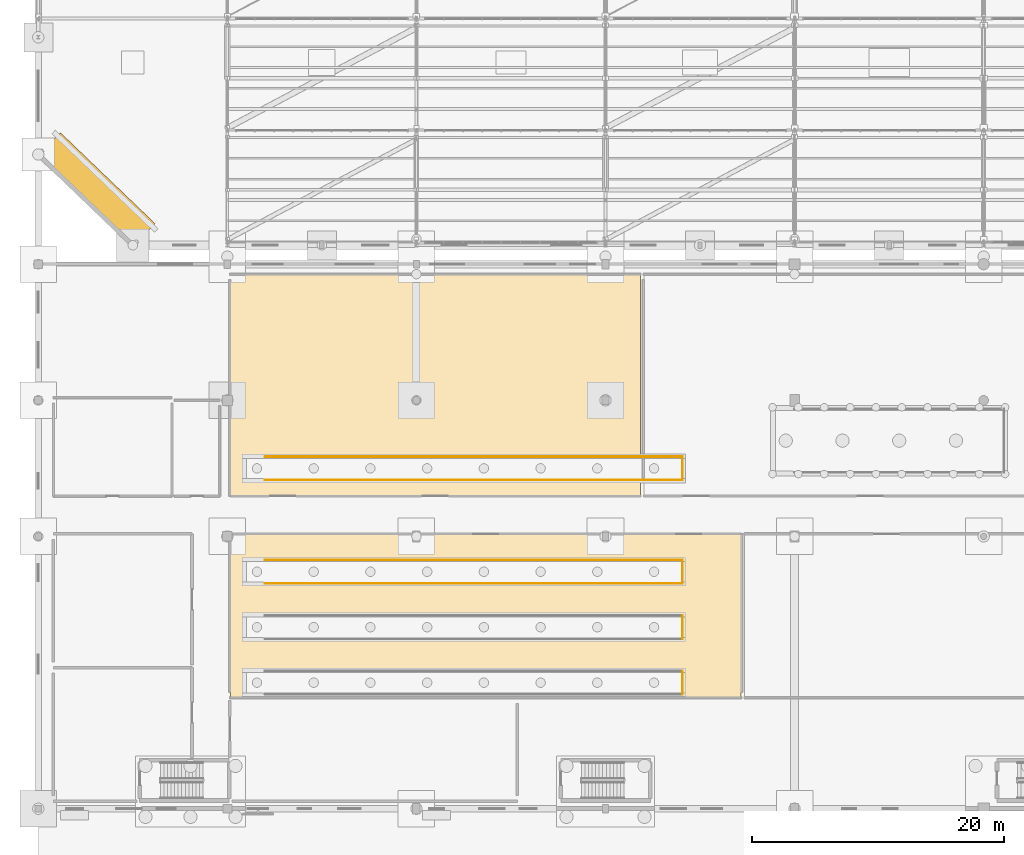
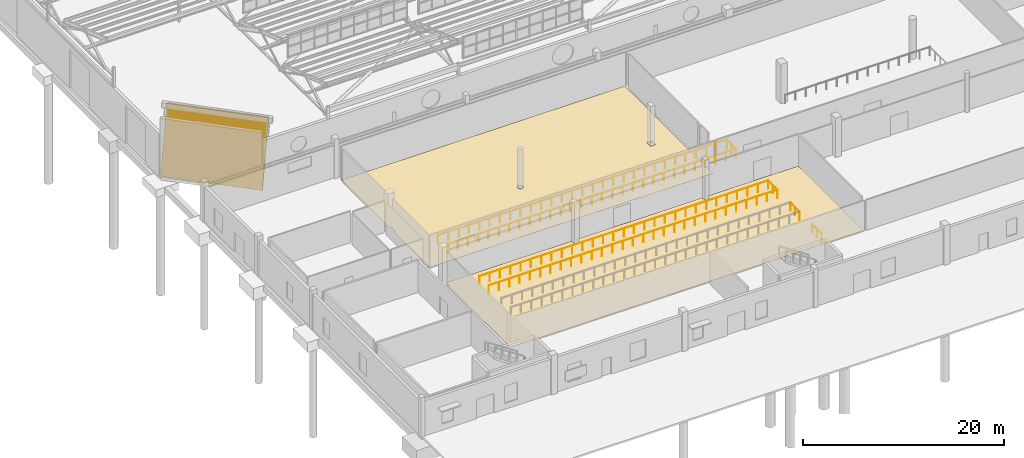
# One storey, part 271 of 285: 8 railings, 3 coverings.
"""IFC4 building model written with IfcOpenShell, lengths in metres."""

import ifcopenshell
import ifcopenshell.guid

model = None  # the IFC model being written
_history = None  # IfcOwnerHistory: only IFC2X3 demands one
_inside = {}  # id of a spatial element -> (the spatial element, [elements in it])
_under = {}  # id of a project, library or spatial element -> (it, [spatial elements below it])
_declared = {}  # id of a project -> (the project, [libraries it declares])
_typed = {}  # id of a type object -> (the type object, [elements of that type])
_made_of = {}  # id of a material, layer set ... -> (it, [elements and type objects made of it])


def new_model(schema):
    """Start an empty IFC model of exactly this schema.

    Asked for "IFC4X3", IfcOpenShell would pick the latest addendum, in which some entities
    have other attributes; the version numbers below select the first issue.
    IFC2X3 requires an IfcOwnerHistory on every rooted entity: one is made here for all.
    """
    global model, _history
    if schema == "IFC4X3":
        model = ifcopenshell.file(schema_version=(4, 3, 0, 0))
    else:
        model = ifcopenshell.file(schema=schema)
    _inside.clear()
    _under.clear()
    _declared.clear()
    _typed.clear()
    _made_of.clear()
    _history = None
    if model.schema == "IFC2X3":
        org = make("IfcOrganization", Name="unknown")
        user = make(
            "IfcPersonAndOrganization",
            ThePerson=make("IfcPerson", FamilyName="unknown"),
            TheOrganization=org,
        )
        app = make(
            "IfcApplication",
            ApplicationDeveloper=org,
            Version="unknown",
            ApplicationFullName="unknown",
            ApplicationIdentifier="unknown",
        )
        _history = make(
            "IfcOwnerHistory",
            OwningUser=user,
            OwningApplication=app,
            ChangeAction="ADDED",
            CreationDate=0,
        )
    return model


def make(cls, **values):
    """One entity of the class cls with the attributes given. An attribute that is None is left unset."""
    return model.create_entity(
        cls, **{name: value for name, value in values.items() if value is not None}
    )


def rooted(cls, **values):
    """An entity with a GlobalId (a new one), such as an element, a storey or a relation."""
    return make(cls, GlobalId=ifcopenshell.guid.new(), OwnerHistory=_history, **values)


def si_unit(unit_type, name, prefix=None):
    """IfcSIUnit, for example si_unit("LENGTHUNIT", "METRE", prefix="MILLI")."""
    return make("IfcSIUnit", UnitType=unit_type, Prefix=prefix, Name=name)


def assignment(units):
    """IfcUnitAssignment: the units of a project."""
    return None if units is None else make("IfcUnitAssignment", Units=units)


def point(xyz):
    """IfcCartesianPoint."""
    return None if xyz is None else make("IfcCartesianPoint", Coordinates=xyz)


def direction(xyz):
    """IfcDirection."""
    return None if xyz is None else make("IfcDirection", DirectionRatios=xyz)


def frame(location, z_axis=None, x_axis=None):
    """IfcAxis2Placement3D, a coordinate frame: its origin and axes. An axis left out is left unset."""
    return make(
        "IfcAxis2Placement3D",
        Location=point(location),
        Axis=direction(z_axis),
        RefDirection=direction(x_axis),
    )


def frame_2d(location, x_axis=None):
    """IfcAxis2Placement2D, a coordinate frame in the plane: its origin and x axis."""
    return make(
        "IfcAxis2Placement2D", Location=point(location), RefDirection=direction(x_axis)
    )


def origin():
    """The frame at (0, 0, 0) with its axes left unset."""
    return frame((0.0, 0.0, 0.0))


def origin_2d():
    """The frame at (0, 0) in the plane with its x axis left unset."""
    return frame_2d((0.0, 0.0))


def place(relative_to, where):
    """IfcLocalPlacement: puts the frame where relative to a parent placement (None: the world)."""
    return make(
        "IfcLocalPlacement", PlacementRelTo=relative_to, RelativePlacement=where
    )


def context(
    kind, dimensions, precision=None, world=None, true_north=None, identifier=None
):
    """IfcGeometricRepresentationContext, for example the 3D "Model" context."""
    return make(
        "IfcGeometricRepresentationContext",
        ContextIdentifier=identifier,
        ContextType=kind,
        CoordinateSpaceDimension=dimensions,
        Precision=precision,
        WorldCoordinateSystem=world,
        TrueNorth=true_north,
    )


def subcontext(parent, identifier, kind, view, scale=None):
    """IfcGeometricRepresentationSubContext, for example "Body" below "Model"."""
    return make(
        "IfcGeometricRepresentationSubContext",
        ContextIdentifier=identifier,
        ContextType=kind,
        ParentContext=parent,
        TargetScale=scale,
        TargetView=view,
    )


def project(units=None, contexts=None):
    """IfcProject with its units and contexts."""
    return rooted(
        "IfcProject",
        Name="project",
        RepresentationContexts=contexts,
        UnitsInContext=assignment(units),
    )


def spatial(cls, under=None, at=None, **own):
    """A site, building, storey or space (cls), placed at a placement, below another one or the project."""
    s = rooted(cls, ObjectPlacement=at, **own)
    if under is not None:
        _under.setdefault(under.id(), (under, []))[1].append(s)
    return s


def polyline(points):
    """IfcPolyline through the points."""
    return make("IfcPolyline", Points=[point(p) for p in points])


def profile(cls, at=None, kind="AREA", **sizes):
    """A parametric profile (cls). Its sizes go by their IFC names, for example OverallWidth=200.0."""
    return make(cls, ProfileType=kind, Position=at, **sizes)


def circle(**sizes):
    """IfcCircleProfileDef."""
    return profile("IfcCircleProfileDef", **sizes)


def outline(outer, holes=None, kind="AREA"):
    """IfcArbitraryClosedProfileDef: a profile drawn as a closed curve; with holes, ...WithVoids."""
    if holes is None:
        return make("IfcArbitraryClosedProfileDef", ProfileType=kind, OuterCurve=outer)
    return make(
        "IfcArbitraryProfileDefWithVoids",
        ProfileType=kind,
        OuterCurve=outer,
        InnerCurves=holes,
    )


def extrude(swept, where, along, depth):
    """IfcExtrudedAreaSolid: the profile swept, set in the frame where, extruded along a direction by depth."""
    return make(
        "IfcExtrudedAreaSolid",
        SweptArea=swept,
        Position=where,
        ExtrudedDirection=direction(along),
        Depth=depth,
    )


def shape(context_of_items, identifier, shape_type, items):
    """IfcShapeRepresentation: the items that make up one representation, for example the "Body"."""
    return make(
        "IfcShapeRepresentation",
        ContextOfItems=context_of_items,
        RepresentationIdentifier=identifier,
        RepresentationType=shape_type,
        Items=items,
    )


def material(Name=None, Category=None):
    """IfcMaterial."""
    return make("IfcMaterial", Name=Name, Category=Category)


def layer(
    of_material, thickness, ventilated=None, Name=None, Category=None, Priority=None
):
    """IfcMaterialLayer: one layer of a wall or slab, of a material (None: an air gap)."""
    return make(
        "IfcMaterialLayer",
        Material=of_material,
        LayerThickness=thickness,
        IsVentilated=ventilated,
        Name=Name,
        Category=Category,
        Priority=Priority,
    )


def layer_set(layers, Name=None):
    """IfcMaterialLayerSet."""
    return make("IfcMaterialLayerSet", MaterialLayers=layers, LayerSetName=Name)


def made_of(thing, what):
    """Note that an element or type object is made of a material, layer set ...; save() writes the relation."""
    if what is not None:
        _made_of.setdefault(what.id(), (what, []))[1].append(thing)
    return thing


def type_object(cls, material=None, **own):
    """A type object (cls), such as IfcWallType, which elements share."""
    return made_of(rooted(cls, **own), material)


def element(
    cls,
    number,
    at=None,
    inside=None,
    cuts=None,
    type_object=None,
    material=None,
    context=None,
    identifier="Body",
    shape_type=None,
    held_by="IfcProductDefinitionShape",
    body=None,
    shapes=None,
    **own,
):
    """One element of the class cls, such as IfcWall. Its Tag is "e" and its number.

    at: its placement. inside: the storey or other place that contains it. cuts: it is an
    opening in that element (IfcRelVoidsElement). A single representation is given by context,
    identifier, shape_type and body (its items); several are given by shapes. held_by: the class
    of the entity that holds the representations. save() writes the other relations.
    """
    e = rooted(cls, Tag="e%d" % number, ObjectPlacement=at, **own)
    if body is not None:
        shapes = [shape(context, identifier, shape_type, body)]
    if shapes is not None:
        e.Representation = make(held_by, Representations=shapes)
    if inside is not None:
        _inside.setdefault(inside.id(), (inside, []))[1].append(e)
    if cuts is not None:
        rooted(
            "IfcRelVoidsElement", RelatingBuildingElement=cuts, RelatedOpeningElement=e
        )
    if type_object is not None:
        _typed.setdefault(type_object.id(), (type_object, []))[1].append(e)
    return made_of(e, material)


def aggregate(whole, parts):
    """IfcRelAggregates: a whole, such as a stair, and the parts it consists of."""
    return rooted("IfcRelAggregates", RelatingObject=whole, RelatedObjects=parts)


def save(model, path):
    """Write the relations noted so far, then the file.

    IfcRelAggregates (storeys below a building ...), IfcRelContainedInSpatialStructure (elements
    in a storey), IfcRelDefinesByType, IfcRelAssociatesMaterial and IfcRelDeclares: one each for
    every whole, place, type object, material and project.
    """
    for whole, parts in _under.values():
        aggregate(whole, parts)
    for where, things in _inside.values():
        rooted(
            "IfcRelContainedInSpatialStructure",
            RelatedElements=things,
            RelatingStructure=where,
        )
    for kind, things in _typed.values():
        rooted("IfcRelDefinesByType", RelatedObjects=things, RelatingType=kind)
    for what, things in _made_of.values():
        rooted("IfcRelAssociatesMaterial", RelatedObjects=things, RelatingMaterial=what)
    for by, libraries in _declared.values():
        rooted("IfcRelDeclares", RelatingContext=by, RelatedDefinitions=libraries)
    model.write(path)


model = new_model("IFC4")

# Units and contexts
model_context = context("Model", 3, precision=1e-05, world=origin(), true_north=direction((0.0, 1.0)))
body_context = subcontext(model_context, "Body", "Model", "MODEL_VIEW")
ifc_project = project(units=[si_unit("LENGTHUNIT", "METRE"), si_unit("AREAUNIT", "SQUARE_METRE"), si_unit("VOLUMEUNIT", "CUBIC_METRE"), si_unit("PLANEANGLEUNIT", "RADIAN"), si_unit("MASSUNIT", "GRAM", prefix="KILO")], contexts=[model_context])

# Site, building, storey
site_placement = place(None, origin())
site = spatial("IfcSite", under=ifc_project, at=site_placement, CompositionType="ELEMENT")
building_placement = place(site_placement, origin())
building = spatial("IfcBuilding", under=site, at=building_placement, Name="Solanera Park Tramway Depot", CompositionType="ELEMENT")
storey_placement = place(building_placement, origin())
storey = spatial("IfcBuildingStorey", under=building, at=storey_placement, Name="L00", CompositionType="ELEMENT", Elevation=0.0)

# Coverings
ifc_material_1 = material(Name="Board-marked architectural concrete N40", Category="concrete")
ifc_layer_1 = layer(ifc_material_1, 0.280029296875)
ifc_layer_set_1 = layer_set([ifc_layer_1], Name="Board-marked architectural concrete N40")
covering_type_1 = type_object("IfcCoveringType", Name="Board-Marked Carved Concrete Facet 280", PredefinedType="CLADDING", material=ifc_layer_set_1)
covering_1_placement = place(storey_placement, frame((7.5, 55.5, 0.0), z_axis=(-0.664049872585, -0.691723308325, 0.283825001434), x_axis=(-0.721389667345, 0.692529384104, 0.0)))
element("IfcCovering", 1, at=covering_1_placement, inside=storey, type_object=covering_type_1, Name="V1 Carved Sloping Corner Plane SW (16.5 deg)", PredefinedType="CLADDING", context=body_context, shape_type="SweptSolid", body=[
    extrude(outline(polyline([(0.0, 0.0), (10.39660025572707, 0.0), (10.308258091832453, -7.738144585721036), (-0.08834216389461635, -7.738144585721036), (0.0, 0.0)])), origin(), (0.0, 0.0, -1.0), 0.280029296875),
])
ifc_material_2 = material(Name="Heavy-duty slip-resistant epoxy resin screed")
ifc_layer_2 = layer(ifc_material_2, 0.011962890625)
ifc_layer_set_2 = layer_set([ifc_layer_2], Name="Heavy-duty slip-resistant epoxy resin screed")
covering_type_2 = type_object("IfcCoveringType", Name="Epoxy Industrial Workshop Flooring 12", PredefinedType="FLOORING", material=ifc_layer_set_2)
covering_2_placement = place(storey_placement, origin())
element("IfcCovering", 2, at=covering_2_placement, inside=storey, type_object=covering_type_2, Name="Bogie Overhaul and Lifting Jack Hall Floor Finish", PredefinedType="FLOORING", context=body_context, shape_type="SweptSolid", body=[
    extrude(outline(polyline([(15.3798828125, 32.02001953125), (15.3798828125, 32.56005859375), (29.695068359375, 32.56005859375), (29.695068359375, 31.945068359375), (30.304931640625, 31.945068359375), (30.304931640625, 32.56005859375), (44.7451171875, 32.56005859375), (44.7451171875, 32.070068359375), (45.2548828125, 32.070068359375), (45.2548828125, 32.56005859375), (55.760009765625, 32.56005859375), (55.760009765625, 19.639892578125), (15.239990234375, 19.639892578125), (15.239990234375, 32.02001953125), (15.3798828125, 32.02001953125)])), origin(), (0.0, 0.0, 1.0), 0.011962890625),
])
covering_3_placement = place(storey_placement, origin())
element("IfcCovering", 3, at=covering_3_placement, inside=storey, type_object=covering_type_2, Name="Tram Bodywork and Paint Spray Booth Floor Finish", PredefinedType="FLOORING", context=body_context, shape_type="SweptSolid", body=[
    extrude(outline(polyline([(15.405029296875, 42.794921875), (15.405029296875, 43.60498046875), (15.239990234375, 43.60498046875), (15.239990234375, 53.159912109375), (47.760009765625, 53.159912109375), (47.760009765625, 35.639892578125), (15.239990234375, 35.639892578125), (15.239990234375, 42.794921875), (15.405029296875, 42.794921875)]), holes=[polyline([(30.28173828125, 43.316650390625), (30.253662109375, 43.369384765625), (30.2158203125, 43.415771484375), (30.16943359375, 43.45361328125), (30.11669921875, 43.481689453125), (30.0595703125, 43.4990234375), (30.0, 43.5048828125), (29.9404296875, 43.4990234375), (29.88330078125, 43.481689453125), (29.83056640625, 43.45361328125), (29.7841796875, 43.415771484375), (29.746337890625, 43.369384765625), (29.71826171875, 43.316650390625), (29.700927734375, 43.259521484375), (29.695068359375, 43.199951171875), (29.700927734375, 43.140380859375), (29.71826171875, 43.083251953125), (29.746337890625, 43.030517578125), (29.7841796875, 42.984375), (29.83056640625, 42.9462890625), (29.88330078125, 42.918212890625), (29.9404296875, 42.90087890625), (30.0, 42.89501953125), (30.0595703125, 42.90087890625), (30.11669921875, 42.918212890625), (30.16943359375, 42.9462890625), (30.2158203125, 42.984375), (30.253662109375, 43.030517578125), (30.28173828125, 43.083251953125), (30.299072265625, 43.140380859375), (30.304931640625, 43.199951171875), (30.299072265625, 43.259521484375), (30.28173828125, 43.316650390625)]), polyline([(45.280029296875, 42.844970703125), (45.280029296875, 43.554931640625), (44.719970703125, 43.554931640625), (44.719970703125, 42.844970703125), (45.280029296875, 42.844970703125)])]), origin(), (0.0, 0.0, 1.0), 0.011962890625),
])

# Railings
ifc_material_3 = material(Name="Steel AS/NZS 1163 Grade C350L0", Category="steel")
ifc_layer_3 = layer(ifc_material_3, 0.06005859375)
ifc_layer_set_3 = layer_set([ifc_layer_3], Name="Steel AS/NZS 1163 Grade C350L0")
railing_type = type_object("IfcRailingType", Name="Industrial Safety Edge Guardrail 1120", PredefinedType="GUARDRAIL", material=ifc_layer_set_3)
for number, where, name in (
    (4, (51.1201171875, 19.8798828125, 0.0), "Pit Safety Guardrail PIT-01 #061"),
    (5, (51.1201171875, 24.280029296875, 0.0), "Pit Safety Guardrail PIT-02 #064"),
):
    element("IfcRailing", number, at=place(storey_placement, frame(where)), inside=storey, type_object=railing_type, Name=name, PredefinedType="GUARDRAIL", context=body_context, shape_type="SweptSolid", body=[
        extrude(circle(Radius=0.02392578125, at=origin_2d()), frame((0.0, 0.0, 1.09619140625), z_axis=(0.0, 1.0, 0.0), x_axis=(-1.0, 0.0, 0.0)), (0.0, 0.0, 1.0), 1.840087890625),
        extrude(circle(Radius=0.02099609375, at=origin_2d()), origin(), (0.0, 0.0, 1.0), 1.072021484375),
        extrude(circle(Radius=0.02099609375, at=origin_2d()), frame((0.0, 0.919921875, 0.0)), (0.0, 0.0, 1.0), 1.072021484375),
        extrude(circle(Radius=0.02099609375, at=origin_2d()), frame((0.0, 1.840087890625, 0.0)), (0.0, 0.0, 1.0), 1.072021484375),
    ])
railing_1_placement = place(storey_placement, frame((18.0, 28.679931640625, 0.0)))
element("IfcRailing", 6, at=railing_1_placement, inside=storey, type_object=railing_type, Name="Pit Safety Guardrail PIT-03 #066", PredefinedType="GUARDRAIL", context=body_context, shape_type="SweptSolid", body=[
    extrude(circle(Radius=0.02392578125, at=origin_2d()), frame((0.0, 0.0, 1.09619140625), z_axis=(1.0, 0.0, 0.0), x_axis=(0.0, 1.0, 0.0)), (0.0, 0.0, 1.0), 33.1201171875),
    extrude(circle(Radius=0.02099609375, at=origin_2d()), origin(), (0.0, 0.0, 1.0), 1.072021484375),
    extrude(circle(Radius=0.02099609375, at=origin_2d()), frame((1.182861328125, 0.0, 0.0)), (0.0, 0.0, 1.0), 1.072021484375),
    extrude(circle(Radius=0.02099609375, at=origin_2d()), frame((2.36572265625, 0.0, 0.0)), (0.0, 0.0, 1.0), 1.072021484375),
    extrude(circle(Radius=0.02099609375, at=origin_2d()), frame((3.548583984375, 0.0, 0.0)), (0.0, 0.0, 1.0), 1.072021484375),
    extrude(circle(Radius=0.02099609375, at=origin_2d()), frame((4.7314453125, 0.0, 0.0)), (0.0, 0.0, 1.0), 1.072021484375),
    extrude(circle(Radius=0.02099609375, at=origin_2d()), frame((5.914306640625, 0.0, 0.0)), (0.0, 0.0, 1.0), 1.072021484375),
    extrude(circle(Radius=0.02099609375, at=origin_2d()), frame((7.09716796875, 0.0, 0.0)), (0.0, 0.0, 1.0), 1.072021484375),
    extrude(circle(Radius=0.02099609375, at=origin_2d()), frame((8.280029296875, 0.0, 0.0)), (0.0, 0.0, 1.0), 1.072021484375),
    extrude(circle(Radius=0.02099609375, at=origin_2d()), frame((9.462890625, 0.0, 0.0)), (0.0, 0.0, 1.0), 1.072021484375),
    extrude(circle(Radius=0.02099609375, at=origin_2d()), frame((10.645751953125, 0.0, 0.0)), (0.0, 0.0, 1.0), 1.072021484375),
    extrude(circle(Radius=0.02099609375, at=origin_2d()), frame((11.82861328125, 0.0, 0.0)), (0.0, 0.0, 1.0), 1.072021484375),
    extrude(circle(Radius=0.02099609375, at=origin_2d()), frame((13.011474609375, 0.0, 0.0)), (0.0, 0.0, 1.0), 1.072021484375),
    extrude(circle(Radius=0.02099609375, at=origin_2d()), frame((14.1943359375, 0.0, 0.0)), (0.0, 0.0, 1.0), 1.072021484375),
    extrude(circle(Radius=0.02099609375, at=origin_2d()), frame((15.377197265625, 0.0, 0.0)), (0.0, 0.0, 1.0), 1.072021484375),
    extrude(circle(Radius=0.02099609375, at=origin_2d()), frame((16.56005859375, 0.0, 0.0)), (0.0, 0.0, 1.0), 1.072021484375),
    extrude(circle(Radius=0.02099609375, at=origin_2d()), frame((17.742919921875, 0.0, 0.0)), (0.0, 0.0, 1.0), 1.072021484375),
    extrude(circle(Radius=0.02099609375, at=origin_2d()), frame((18.92578125, 0.0, 0.0)), (0.0, 0.0, 1.0), 1.072021484375),
    extrude(circle(Radius=0.02099609375, at=origin_2d()), frame((20.108642578125, 0.0, 0.0)), (0.0, 0.0, 1.0), 1.072021484375),
    extrude(circle(Radius=0.02099609375, at=origin_2d()), frame((21.29150390625, 0.0, 0.0)), (0.0, 0.0, 1.0), 1.072021484375),
    extrude(circle(Radius=0.02099609375, at=origin_2d()), frame((22.474365234375, 0.0, 0.0)), (0.0, 0.0, 1.0), 1.072021484375),
    extrude(circle(Radius=0.02099609375, at=origin_2d()), frame((23.6572265625, 0.0, 0.0)), (0.0, 0.0, 1.0), 1.072021484375),
    extrude(circle(Radius=0.02099609375, at=origin_2d()), frame((24.840087890625, 0.0, 0.0)), (0.0, 0.0, 1.0), 1.072021484375),
    extrude(circle(Radius=0.02099609375, at=origin_2d()), frame((26.02294921875, 0.0, 0.0)), (0.0, 0.0, 1.0), 1.072021484375),
    extrude(circle(Radius=0.02099609375, at=origin_2d()), frame((27.205810546875, 0.0, 0.0)), (0.0, 0.0, 1.0), 1.072021484375),
    extrude(circle(Radius=0.02099609375, at=origin_2d()), frame((28.388671875, 0.0, 0.0)), (0.0, 0.0, 1.0), 1.072021484375),
    extrude(circle(Radius=0.02099609375, at=origin_2d()), frame((29.571533203125, 0.0, 0.0)), (0.0, 0.0, 1.0), 1.072021484375),
    extrude(circle(Radius=0.02099609375, at=origin_2d()), frame((30.75439453125, 0.0, 0.0)), (0.0, 0.0, 1.0), 1.072021484375),
    extrude(circle(Radius=0.02099609375, at=origin_2d()), frame((31.937255859375, 0.0, 0.0)), (0.0, 0.0, 1.0), 1.072021484375),
    extrude(circle(Radius=0.02099609375, at=origin_2d()), frame((33.1201171875, 0.0, 0.0)), (0.0, 0.0, 1.0), 1.072021484375),
])
railing_2_placement = place(storey_placement, frame((51.1201171875, 28.679931640625, 0.0)))
element("IfcRailing", 7, at=railing_2_placement, inside=storey, type_object=railing_type, Name="Pit Safety Guardrail PIT-03 #067", PredefinedType="GUARDRAIL", context=body_context, shape_type="SweptSolid", body=[
    extrude(circle(Radius=0.02392578125, at=origin_2d()), frame((0.0, 0.0, 1.09619140625), z_axis=(0.0, 1.0, 0.0), x_axis=(-1.0, 0.0, 0.0)), (0.0, 0.0, 1.0), 1.840087890625),
    extrude(circle(Radius=0.02099609375, at=origin_2d()), origin(), (0.0, 0.0, 1.0), 1.072021484375),
    extrude(circle(Radius=0.02099609375, at=origin_2d()), frame((0.0, 0.919921875, 0.0)), (0.0, 0.0, 1.0), 1.072021484375),
    extrude(circle(Radius=0.02099609375, at=origin_2d()), frame((0.0, 1.840087890625, 0.0)), (0.0, 0.0, 1.0), 1.072021484375),
])
railing_3_placement = place(storey_placement, frame((51.1201171875, 30.52001953125, 0.0)))
element("IfcRailing", 8, at=railing_3_placement, inside=storey, type_object=railing_type, Name="Pit Safety Guardrail PIT-03 #068", PredefinedType="GUARDRAIL", context=body_context, shape_type="SweptSolid", body=[
    extrude(circle(Radius=0.02392578125, at=origin_2d()), frame((0.0, 0.0, 1.09619140625), z_axis=(-1.0, 0.0, 0.0), x_axis=(0.0, -1.0, 0.0)), (0.0, 0.0, 1.0), 33.1201171875),
    extrude(circle(Radius=0.02099609375, at=origin_2d()), origin(), (0.0, 0.0, 1.0), 1.072021484375),
    extrude(circle(Radius=0.02099609375, at=origin_2d()), frame((-1.182861328125, 0.0, 0.0)), (0.0, 0.0, 1.0), 1.072021484375),
    extrude(circle(Radius=0.02099609375, at=origin_2d()), frame((-2.36572265625, 0.0, 0.0)), (0.0, 0.0, 1.0), 1.072021484375),
    extrude(circle(Radius=0.02099609375, at=origin_2d()), frame((-3.548583984375, 0.0, 0.0)), (0.0, 0.0, 1.0), 1.072021484375),
    extrude(circle(Radius=0.02099609375, at=origin_2d()), frame((-4.7314453125, 0.0, 0.0)), (0.0, 0.0, 1.0), 1.072021484375),
    extrude(circle(Radius=0.02099609375, at=origin_2d()), frame((-5.914306640625, 0.0, 0.0)), (0.0, 0.0, 1.0), 1.072021484375),
    extrude(circle(Radius=0.02099609375, at=origin_2d()), frame((-7.09716796875, 0.0, 0.0)), (0.0, 0.0, 1.0), 1.072021484375),
    extrude(circle(Radius=0.02099609375, at=origin_2d()), frame((-8.280029296875, 0.0, 0.0)), (0.0, 0.0, 1.0), 1.072021484375),
    extrude(circle(Radius=0.02099609375, at=origin_2d()), frame((-9.462890625, 0.0, 0.0)), (0.0, 0.0, 1.0), 1.072021484375),
    extrude(circle(Radius=0.02099609375, at=origin_2d()), frame((-10.645751953125, 0.0, 0.0)), (0.0, 0.0, 1.0), 1.072021484375),
    extrude(circle(Radius=0.02099609375, at=origin_2d()), frame((-11.82861328125, 0.0, 0.0)), (0.0, 0.0, 1.0), 1.072021484375),
    extrude(circle(Radius=0.02099609375, at=origin_2d()), frame((-13.011474609375, 0.0, 0.0)), (0.0, 0.0, 1.0), 1.072021484375),
    extrude(circle(Radius=0.02099609375, at=origin_2d()), frame((-14.1943359375, 0.0, 0.0)), (0.0, 0.0, 1.0), 1.072021484375),
    extrude(circle(Radius=0.02099609375, at=origin_2d()), frame((-15.377197265625, 0.0, 0.0)), (0.0, 0.0, 1.0), 1.072021484375),
    extrude(circle(Radius=0.02099609375, at=origin_2d()), frame((-16.56005859375, 0.0, 0.0)), (0.0, 0.0, 1.0), 1.072021484375),
    extrude(circle(Radius=0.02099609375, at=origin_2d()), frame((-17.742919921875, 0.0, 0.0)), (0.0, 0.0, 1.0), 1.072021484375),
    extrude(circle(Radius=0.02099609375, at=origin_2d()), frame((-18.92578125, 0.0, 0.0)), (0.0, 0.0, 1.0), 1.072021484375),
    extrude(circle(Radius=0.02099609375, at=origin_2d()), frame((-20.108642578125, 0.0, 0.0)), (0.0, 0.0, 1.0), 1.072021484375),
    extrude(circle(Radius=0.02099609375, at=origin_2d()), frame((-21.29150390625, 0.0, 0.0)), (0.0, 0.0, 1.0), 1.072021484375),
    extrude(circle(Radius=0.02099609375, at=origin_2d()), frame((-22.474365234375, 0.0, 0.0)), (0.0, 0.0, 1.0), 1.072021484375),
    extrude(circle(Radius=0.02099609375, at=origin_2d()), frame((-23.6572265625, 0.0, 0.0)), (0.0, 0.0, 1.0), 1.072021484375),
    extrude(circle(Radius=0.02099609375, at=origin_2d()), frame((-24.840087890625, 0.0, 0.0)), (0.0, 0.0, 1.0), 1.072021484375),
    extrude(circle(Radius=0.02099609375, at=origin_2d()), frame((-26.02294921875, 0.0, 0.0)), (0.0, 0.0, 1.0), 1.072021484375),
    extrude(circle(Radius=0.02099609375, at=origin_2d()), frame((-27.205810546875, 0.0, 0.0)), (0.0, 0.0, 1.0), 1.072021484375),
    extrude(circle(Radius=0.02099609375, at=origin_2d()), frame((-28.388671875, 0.0, 0.0)), (0.0, 0.0, 1.0), 1.072021484375),
    extrude(circle(Radius=0.02099609375, at=origin_2d()), frame((-29.571533203125, 0.0, 0.0)), (0.0, 0.0, 1.0), 1.072021484375),
    extrude(circle(Radius=0.02099609375, at=origin_2d()), frame((-30.75439453125, 0.0, 0.0)), (0.0, 0.0, 1.0), 1.072021484375),
    extrude(circle(Radius=0.02099609375, at=origin_2d()), frame((-31.937255859375, 0.0, 0.0)), (0.0, 0.0, 1.0), 1.072021484375),
    extrude(circle(Radius=0.02099609375, at=origin_2d()), frame((-33.1201171875, 0.0, 0.0)), (0.0, 0.0, 1.0), 1.072021484375),
])
railing_4_placement = place(storey_placement, frame((18.0, 36.8798828125, 0.0)))
element("IfcRailing", 9, at=railing_4_placement, inside=storey, type_object=railing_type, Name="Pit Safety Guardrail PIT-04 #069", PredefinedType="GUARDRAIL", context=body_context, shape_type="SweptSolid", body=[
    extrude(circle(Radius=0.02392578125, at=origin_2d()), frame((0.0, 0.0, 1.09619140625), z_axis=(1.0, 0.0, 0.0), x_axis=(0.0, 1.0, 0.0)), (0.0, 0.0, 1.0), 33.1201171875),
    extrude(circle(Radius=0.02099609375, at=origin_2d()), origin(), (0.0, 0.0, 1.0), 1.072021484375),
    extrude(circle(Radius=0.02099609375, at=origin_2d()), frame((1.182861328125, 0.0, 0.0)), (0.0, 0.0, 1.0), 1.072021484375),
    extrude(circle(Radius=0.02099609375, at=origin_2d()), frame((2.36572265625, 0.0, 0.0)), (0.0, 0.0, 1.0), 1.072021484375),
    extrude(circle(Radius=0.02099609375, at=origin_2d()), frame((3.548583984375, 0.0, 0.0)), (0.0, 0.0, 1.0), 1.072021484375),
    extrude(circle(Radius=0.02099609375, at=origin_2d()), frame((4.7314453125, 0.0, 0.0)), (0.0, 0.0, 1.0), 1.072021484375),
    extrude(circle(Radius=0.02099609375, at=origin_2d()), frame((5.914306640625, 0.0, 0.0)), (0.0, 0.0, 1.0), 1.072021484375),
    extrude(circle(Radius=0.02099609375, at=origin_2d()), frame((7.09716796875, 0.0, 0.0)), (0.0, 0.0, 1.0), 1.072021484375),
    extrude(circle(Radius=0.02099609375, at=origin_2d()), frame((8.280029296875, 0.0, 0.0)), (0.0, 0.0, 1.0), 1.072021484375),
    extrude(circle(Radius=0.02099609375, at=origin_2d()), frame((9.462890625, 0.0, 0.0)), (0.0, 0.0, 1.0), 1.072021484375),
    extrude(circle(Radius=0.02099609375, at=origin_2d()), frame((10.645751953125, 0.0, 0.0)), (0.0, 0.0, 1.0), 1.072021484375),
    extrude(circle(Radius=0.02099609375, at=origin_2d()), frame((11.82861328125, 0.0, 0.0)), (0.0, 0.0, 1.0), 1.072021484375),
    extrude(circle(Radius=0.02099609375, at=origin_2d()), frame((13.011474609375, 0.0, 0.0)), (0.0, 0.0, 1.0), 1.072021484375),
    extrude(circle(Radius=0.02099609375, at=origin_2d()), frame((14.1943359375, 0.0, 0.0)), (0.0, 0.0, 1.0), 1.072021484375),
    extrude(circle(Radius=0.02099609375, at=origin_2d()), frame((15.377197265625, 0.0, 0.0)), (0.0, 0.0, 1.0), 1.072021484375),
    extrude(circle(Radius=0.02099609375, at=origin_2d()), frame((16.56005859375, 0.0, 0.0)), (0.0, 0.0, 1.0), 1.072021484375),
    extrude(circle(Radius=0.02099609375, at=origin_2d()), frame((17.742919921875, 0.0, 0.0)), (0.0, 0.0, 1.0), 1.072021484375),
    extrude(circle(Radius=0.02099609375, at=origin_2d()), frame((18.92578125, 0.0, 0.0)), (0.0, 0.0, 1.0), 1.072021484375),
    extrude(circle(Radius=0.02099609375, at=origin_2d()), frame((20.108642578125, 0.0, 0.0)), (0.0, 0.0, 1.0), 1.072021484375),
    extrude(circle(Radius=0.02099609375, at=origin_2d()), frame((21.29150390625, 0.0, 0.0)), (0.0, 0.0, 1.0), 1.072021484375),
    extrude(circle(Radius=0.02099609375, at=origin_2d()), frame((22.474365234375, 0.0, 0.0)), (0.0, 0.0, 1.0), 1.072021484375),
    extrude(circle(Radius=0.02099609375, at=origin_2d()), frame((23.6572265625, 0.0, 0.0)), (0.0, 0.0, 1.0), 1.072021484375),
    extrude(circle(Radius=0.02099609375, at=origin_2d()), frame((24.840087890625, 0.0, 0.0)), (0.0, 0.0, 1.0), 1.072021484375),
    extrude(circle(Radius=0.02099609375, at=origin_2d()), frame((26.02294921875, 0.0, 0.0)), (0.0, 0.0, 1.0), 1.072021484375),
    extrude(circle(Radius=0.02099609375, at=origin_2d()), frame((27.205810546875, 0.0, 0.0)), (0.0, 0.0, 1.0), 1.072021484375),
    extrude(circle(Radius=0.02099609375, at=origin_2d()), frame((28.388671875, 0.0, 0.0)), (0.0, 0.0, 1.0), 1.072021484375),
    extrude(circle(Radius=0.02099609375, at=origin_2d()), frame((29.571533203125, 0.0, 0.0)), (0.0, 0.0, 1.0), 1.072021484375),
    extrude(circle(Radius=0.02099609375, at=origin_2d()), frame((30.75439453125, 0.0, 0.0)), (0.0, 0.0, 1.0), 1.072021484375),
    extrude(circle(Radius=0.02099609375, at=origin_2d()), frame((31.937255859375, 0.0, 0.0)), (0.0, 0.0, 1.0), 1.072021484375),
    extrude(circle(Radius=0.02099609375, at=origin_2d()), frame((33.1201171875, 0.0, 0.0)), (0.0, 0.0, 1.0), 1.072021484375),
])
railing_5_placement = place(storey_placement, frame((51.1201171875, 36.8798828125, 0.0)))
element("IfcRailing", 10, at=railing_5_placement, inside=storey, type_object=railing_type, Name="Pit Safety Guardrail PIT-04 #070", PredefinedType="GUARDRAIL", context=body_context, shape_type="SweptSolid", body=[
    extrude(circle(Radius=0.02392578125, at=origin_2d()), frame((0.0, 0.0, 1.09619140625), z_axis=(0.0, 1.0, 0.0), x_axis=(-1.0, 0.0, 0.0)), (0.0, 0.0, 1.0), 1.840087890625),
    extrude(circle(Radius=0.02099609375, at=origin_2d()), origin(), (0.0, 0.0, 1.0), 1.072021484375),
    extrude(circle(Radius=0.02099609375, at=origin_2d()), frame((0.0, 0.919921875, 0.0)), (0.0, 0.0, 1.0), 1.072021484375),
    extrude(circle(Radius=0.02099609375, at=origin_2d()), frame((0.0, 1.840087890625, 0.0)), (0.0, 0.0, 1.0), 1.072021484375),
])
railing_6_placement = place(storey_placement, frame((51.1201171875, 38.719970703125, 0.0)))
element("IfcRailing", 11, at=railing_6_placement, inside=storey, type_object=railing_type, Name="Pit Safety Guardrail PIT-04 #071", PredefinedType="GUARDRAIL", context=body_context, shape_type="SweptSolid", body=[
    extrude(circle(Radius=0.02392578125, at=origin_2d()), frame((0.0, 0.0, 1.09619140625), z_axis=(-1.0, 0.0, 0.0), x_axis=(0.0, -1.0, 0.0)), (0.0, 0.0, 1.0), 33.1201171875),
    extrude(circle(Radius=0.02099609375, at=origin_2d()), origin(), (0.0, 0.0, 1.0), 1.072021484375),
    extrude(circle(Radius=0.02099609375, at=origin_2d()), frame((-1.182861328125, 0.0, 0.0)), (0.0, 0.0, 1.0), 1.072021484375),
    extrude(circle(Radius=0.02099609375, at=origin_2d()), frame((-2.36572265625, 0.0, 0.0)), (0.0, 0.0, 1.0), 1.072021484375),
    extrude(circle(Radius=0.02099609375, at=origin_2d()), frame((-3.548583984375, 0.0, 0.0)), (0.0, 0.0, 1.0), 1.072021484375),
    extrude(circle(Radius=0.02099609375, at=origin_2d()), frame((-4.7314453125, 0.0, 0.0)), (0.0, 0.0, 1.0), 1.072021484375),
    extrude(circle(Radius=0.02099609375, at=origin_2d()), frame((-5.914306640625, 0.0, 0.0)), (0.0, 0.0, 1.0), 1.072021484375),
    extrude(circle(Radius=0.02099609375, at=origin_2d()), frame((-7.09716796875, 0.0, 0.0)), (0.0, 0.0, 1.0), 1.072021484375),
    extrude(circle(Radius=0.02099609375, at=origin_2d()), frame((-8.280029296875, 0.0, 0.0)), (0.0, 0.0, 1.0), 1.072021484375),
    extrude(circle(Radius=0.02099609375, at=origin_2d()), frame((-9.462890625, 0.0, 0.0)), (0.0, 0.0, 1.0), 1.072021484375),
    extrude(circle(Radius=0.02099609375, at=origin_2d()), frame((-10.645751953125, 0.0, 0.0)), (0.0, 0.0, 1.0), 1.072021484375),
    extrude(circle(Radius=0.02099609375, at=origin_2d()), frame((-11.82861328125, 0.0, 0.0)), (0.0, 0.0, 1.0), 1.072021484375),
    extrude(circle(Radius=0.02099609375, at=origin_2d()), frame((-13.011474609375, 0.0, 0.0)), (0.0, 0.0, 1.0), 1.072021484375),
    extrude(circle(Radius=0.02099609375, at=origin_2d()), frame((-14.1943359375, 0.0, 0.0)), (0.0, 0.0, 1.0), 1.072021484375),
    extrude(circle(Radius=0.02099609375, at=origin_2d()), frame((-15.377197265625, 0.0, 0.0)), (0.0, 0.0, 1.0), 1.072021484375),
    extrude(circle(Radius=0.02099609375, at=origin_2d()), frame((-16.56005859375, 0.0, 0.0)), (0.0, 0.0, 1.0), 1.072021484375),
    extrude(circle(Radius=0.02099609375, at=origin_2d()), frame((-17.742919921875, 0.0, 0.0)), (0.0, 0.0, 1.0), 1.072021484375),
    extrude(circle(Radius=0.02099609375, at=origin_2d()), frame((-18.92578125, 0.0, 0.0)), (0.0, 0.0, 1.0), 1.072021484375),
    extrude(circle(Radius=0.02099609375, at=origin_2d()), frame((-20.108642578125, 0.0, 0.0)), (0.0, 0.0, 1.0), 1.072021484375),
    extrude(circle(Radius=0.02099609375, at=origin_2d()), frame((-21.29150390625, 0.0, 0.0)), (0.0, 0.0, 1.0), 1.072021484375),
    extrude(circle(Radius=0.02099609375, at=origin_2d()), frame((-22.474365234375, 0.0, 0.0)), (0.0, 0.0, 1.0), 1.072021484375),
    extrude(circle(Radius=0.02099609375, at=origin_2d()), frame((-23.6572265625, 0.0, 0.0)), (0.0, 0.0, 1.0), 1.072021484375),
    extrude(circle(Radius=0.02099609375, at=origin_2d()), frame((-24.840087890625, 0.0, 0.0)), (0.0, 0.0, 1.0), 1.072021484375),
    extrude(circle(Radius=0.02099609375, at=origin_2d()), frame((-26.02294921875, 0.0, 0.0)), (0.0, 0.0, 1.0), 1.072021484375),
    extrude(circle(Radius=0.02099609375, at=origin_2d()), frame((-27.205810546875, 0.0, 0.0)), (0.0, 0.0, 1.0), 1.072021484375),
    extrude(circle(Radius=0.02099609375, at=origin_2d()), frame((-28.388671875, 0.0, 0.0)), (0.0, 0.0, 1.0), 1.072021484375),
    extrude(circle(Radius=0.02099609375, at=origin_2d()), frame((-29.571533203125, 0.0, 0.0)), (0.0, 0.0, 1.0), 1.072021484375),
    extrude(circle(Radius=0.02099609375, at=origin_2d()), frame((-30.75439453125, 0.0, 0.0)), (0.0, 0.0, 1.0), 1.072021484375),
    extrude(circle(Radius=0.02099609375, at=origin_2d()), frame((-31.937255859375, 0.0, 0.0)), (0.0, 0.0, 1.0), 1.072021484375),
    extrude(circle(Radius=0.02099609375, at=origin_2d()), frame((-33.1201171875, 0.0, 0.0)), (0.0, 0.0, 1.0), 1.072021484375),
])

save(model, "model.ifc")
